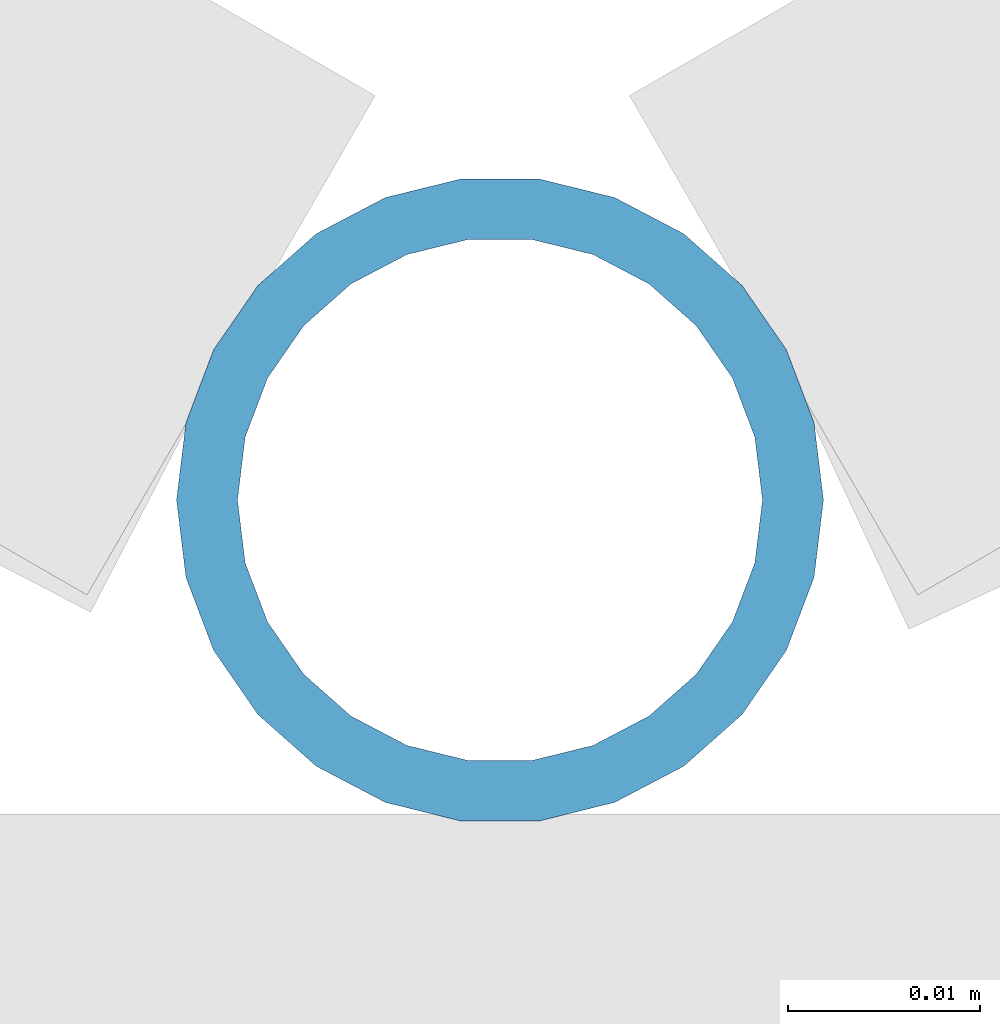
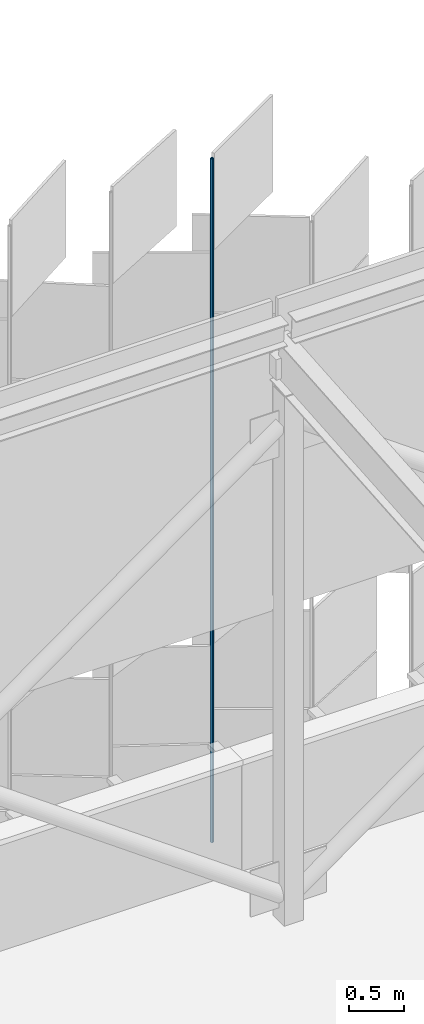
# One storey, part 375 of 483: 1 discrete accessory.
"""IFC4 building model written with IfcOpenShell, lengths in metres."""

from ifc_helpers import new_model, si_unit, direction, frame, origin, origin_2d, place, context, subcontext, project, spatial, hollow_circle, extrude, material, material_profile, profile_set, type_object, element, save


model = new_model("IFC4")

# Units and contexts
model_context = context("Model", 3, precision=1e-05, world=origin(), true_north=direction((0.0, 1.0)))
body_context = subcontext(model_context, "Body", "Model", "MODEL_VIEW")
ifc_project = project(units=[si_unit("LENGTHUNIT", "METRE"), si_unit("AREAUNIT", "SQUARE_METRE"), si_unit("VOLUMEUNIT", "CUBIC_METRE"), si_unit("PLANEANGLEUNIT", "RADIAN"), si_unit("MASSUNIT", "GRAM", prefix="KILO")], contexts=[model_context])

# Site, building, storey
site_placement = place(None, origin())
site = spatial("IfcSite", under=ifc_project, at=site_placement, CompositionType="ELEMENT")
building_placement = place(site_placement, origin())
building = spatial("IfcBuilding", under=site, at=building_placement, Name="Parallax Yard Mobility Hub", CompositionType="ELEMENT")
storey_placement = place(building_placement, frame((0.0, 0.0, 13.199951171875)))
storey = spatial("IfcBuildingStorey", under=building, at=storey_placement, Name="L04", CompositionType="ELEMENT", Elevation=13.199951171875)

# Discrete accessory
ifc_material = material(Name="Steel ASTM A500 Gr C, hot-dip galvanised", Category="steel")
ifc_material_profile = material_profile(ifc_material, hollow_circle(Radius=0.016845703125, WallThickness=0.003173828125, at=origin_2d()), Name="CHS 33.7x3.2")
ifc_profile_set = profile_set([ifc_material_profile], Name="Steel ASTM A500 Gr C, hot-dip galvanised")
discrete_accessory_type = type_object("IfcDiscreteAccessoryType", Name="Hinge post CHS 33.7x3.2", PredefinedType="BRACKET", material=ifc_profile_set)
discrete_accessory_placement = place(storey_placement, frame((157.5, 142.800048828125, 0.0), z_axis=(0.0, 0.0, 1.0), x_axis=(1.0, 0.0, 0.0)))
element("IfcDiscreteAccessory", 1, at=discrete_accessory_placement, inside=storey, type_object=discrete_accessory_type, Name="Hinge post bay 53.1 level L04", PredefinedType="BRACKET", context=body_context, shape_type="SweptSolid", body=[
    extrude(hollow_circle(Radius=0.016845703125, WallThickness=0.003173828125, at=origin_2d()), origin(), (0.0, 0.0, 1.0), 7.650146484375),
])

save(model, "model.ifc")
